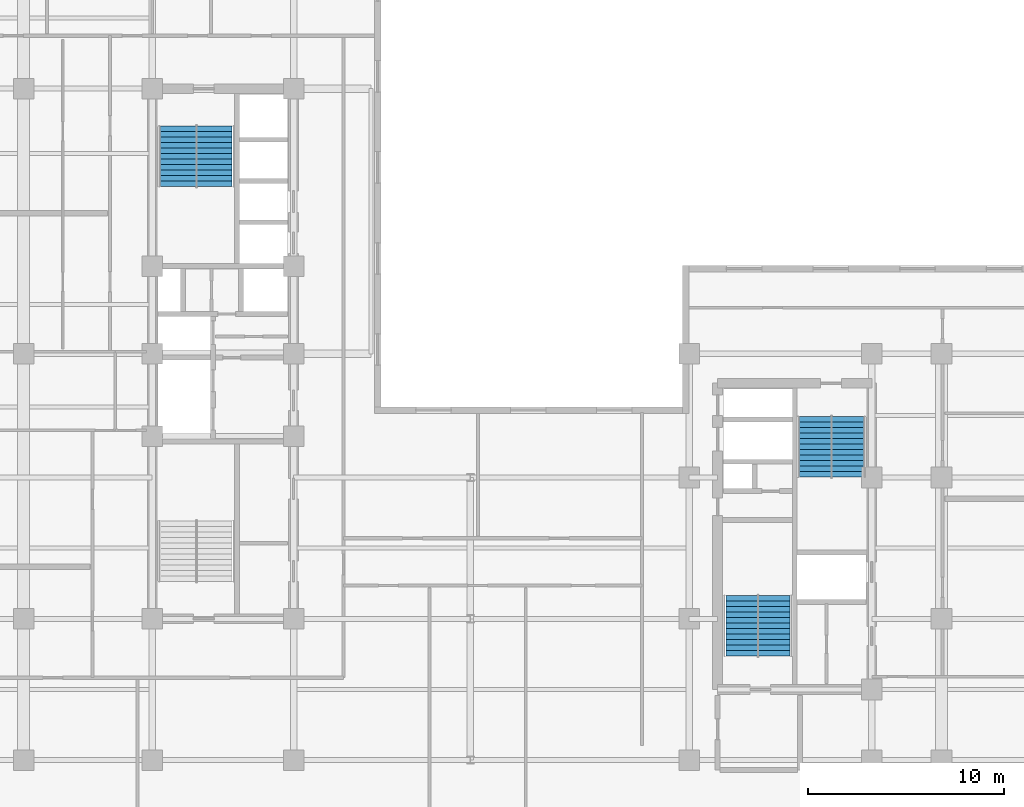
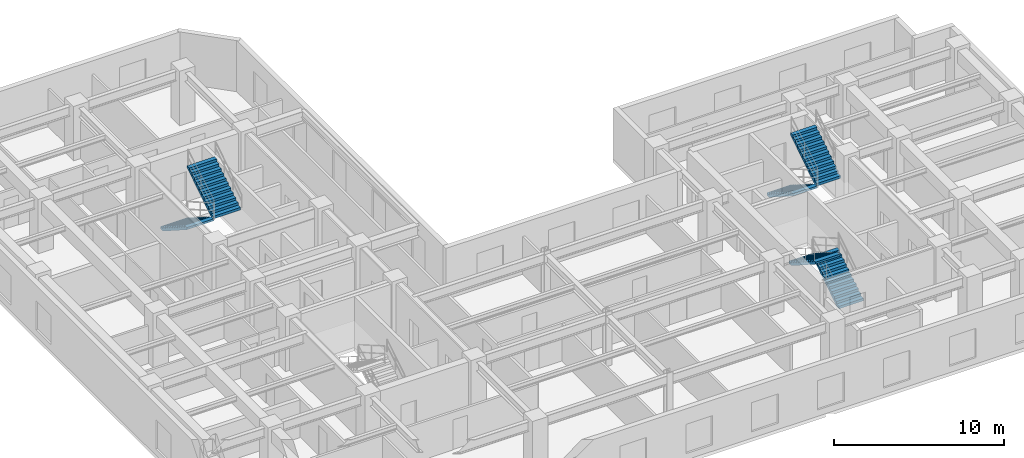
# One storey, part 7 of 10: 6 stair flights, 3 elements without a shape of their own.
"""IFC4 building model written with IfcOpenShell, lengths in metres."""

from ifc_helpers import new_model, entity, si_unit, converted_unit, direction, frame, origin_with_axes, place, context, subcontext, project, spatial, polyline, outline, extrude, material, type_object, element, aggregate, save


model = new_model("IFC4")

# Units and contexts
model_context = context("Model", 3, precision=1e-05, world=origin_with_axes(), true_north=direction((0.0, 1.0)))
body_context = subcontext(model_context, "Body", "Model", "MODEL_VIEW")
ifc_project = project(units=[si_unit("LENGTHUNIT", "METRE"), si_unit("AREAUNIT", "SQUARE_METRE"), si_unit("VOLUMEUNIT", "CUBIC_METRE"), converted_unit("PLANEANGLEUNIT", "DEGREE", entity("IfcPlaneAngleMeasure", 0.017453292519943295), si_unit("PLANEANGLEUNIT", "RADIAN"), dimensions=[0, 0, 0, 0, 0, 0, 0]), si_unit("MASSUNIT", "GRAM", prefix="KILO"), si_unit("THERMODYNAMICTEMPERATUREUNIT", "KELVIN")], contexts=[model_context])

# Site, building, storey
site_placement = place(None, origin_with_axes())
site = spatial("IfcSite", under=ifc_project, at=site_placement, CompositionType="ELEMENT")
building_placement = place(site_placement, origin_with_axes())
building = spatial("IfcBuilding", under=site, at=building_placement, Name="Varnlund Millrace Tower", CompositionType="ELEMENT")
storey_placement = place(building_placement, frame((0.0, 0.0, 156.3), z_axis=(0.0, 0.0, 1.0), x_axis=(1.0, 0.0, 0.0)))
storey = spatial("IfcBuildingStorey", under=building, at=storey_placement, Name="L38", CompositionType="ELEMENT", Elevation=156.3)

# Stair, stair flights
ifc_material_1 = material(Name="Concrete C50/60", Category="concrete")
stair_type_1 = type_object("IfcStairType", Name="Type-Stair-Dogleg-165-390", PredefinedType="HALF_TURN_STAIR", material=ifc_material_1)
stair_1_placement = place(storey_placement, origin_with_axes())
stair_1 = element("IfcStair", 1, at=stair_1_placement, inside=storey, type_object=stair_type_1, Name="Type-Stair-Dogleg-165-390", PredefinedType="HALF_TURN_STAIR")
ifc_material_2 = material(Name="Precast concrete C50/60", Category="concrete")
stair_flight_type_1 = type_object("IfcStairFlightType", Name="Type-Dogleg-Run-165-390", PredefinedType="STRAIGHT", material=ifc_material_2)
stair_flight_1_placement = place(storey_placement, frame((42.225, 8.9, 0.0), z_axis=(1.0, 0.0, 0.0), x_axis=(0.0, 1.0, 0.0)))
stair_flight_1 = element("IfcStairFlight", 2, at=stair_flight_1_placement, type_object=stair_flight_type_1, Name="ST-B1 flight 1", NumberOfRisers=11, NumberOfTreads=11, PredefinedType="STRAIGHT", RiserHeight=0.177273, TreadLength=0.28, context=body_context, shape_type="SweptSolid", body=[
    extrude(outline(polyline([(0.0, 0.0), (0.0, 0.177273), (0.28, 0.177273), (0.28, 0.354545), (0.56, 0.354545), (0.56, 0.531818), (0.84, 0.531818), (0.84, 0.709091), (1.12, 0.709091), (1.12, 0.886364), (1.4, 0.886364), (1.4, 1.063636), (1.68, 1.063636), (1.68, 1.240909), (1.96, 1.240909), (1.96, 1.418182), (2.24, 1.418182), (2.24, 1.595454), (2.52, 1.595454), (2.52, 1.772727), (2.8, 1.772727), (2.8, 1.95), (3.08, 1.95), (3.08, 1.8), (0.28, 0.0), (0.0, 0.0)])), origin_with_axes(), (0.0, 0.0, 1.0), 1.65),
])
stair_flight_2_placement = place(storey_placement, frame((42.275, 11.98, 1.95), z_axis=(-1.0, 0.0, 0.0), x_axis=(0.0, -1.0, 0.0)))
stair_flight_2 = element("IfcStairFlight", 3, at=stair_flight_2_placement, type_object=stair_flight_type_1, Name="ST-B1 flight 2", NumberOfRisers=11, NumberOfTreads=11, PredefinedType="STRAIGHT", RiserHeight=0.177273, TreadLength=0.28, context=body_context, shape_type="SweptSolid", body=[
    extrude(outline(polyline([(0.0, 0.0), (0.0, 0.177273), (0.28, 0.177273), (0.28, 0.354545), (0.56, 0.354545), (0.56, 0.531818), (0.84, 0.531818), (0.84, 0.709091), (1.12, 0.709091), (1.12, 0.886364), (1.4, 0.886364), (1.4, 1.063636), (1.68, 1.063636), (1.68, 1.240909), (1.96, 1.240909), (1.96, 1.418182), (2.24, 1.418182), (2.24, 1.595454), (2.52, 1.595454), (2.52, 1.772727), (2.8, 1.772727), (2.8, 1.95), (3.08, 1.95), (3.08, 1.8), (0.28, 0.0), (0.0, 0.0)])), origin_with_axes(), (0.0, 0.0, 1.0), 1.65),
])
aggregate(stair_1, [stair_flight_1, stair_flight_2])

stair_2_placement = place(storey_placement, origin_with_axes())
stair_2 = element("IfcStair", 4, at=stair_2_placement, inside=storey, type_object=stair_type_1, Name="Type-Stair-Dogleg-165-390", PredefinedType="HALF_TURN_STAIR")
stair_flight_3_placement = place(storey_placement, frame((46.025, 21.1, 0.0), z_axis=(-1.0, 0.0, 0.0), x_axis=(0.0, -1.0, 0.0)))
stair_flight_3 = element("IfcStairFlight", 5, at=stair_flight_3_placement, type_object=stair_flight_type_1, Name="ST-B2 flight 1", NumberOfRisers=11, NumberOfTreads=11, PredefinedType="STRAIGHT", RiserHeight=0.177273, TreadLength=0.28, context=body_context, shape_type="SweptSolid", body=[
    extrude(outline(polyline([(0.0, 0.0), (0.0, 0.177273), (0.28, 0.177273), (0.28, 0.354545), (0.56, 0.354545), (0.56, 0.531818), (0.84, 0.531818), (0.84, 0.709091), (1.12, 0.709091), (1.12, 0.886364), (1.4, 0.886364), (1.4, 1.063636), (1.68, 1.063636), (1.68, 1.240909), (1.96, 1.240909), (1.96, 1.418182), (2.24, 1.418182), (2.24, 1.595454), (2.52, 1.595454), (2.52, 1.772727), (2.8, 1.772727), (2.8, 1.95), (3.08, 1.95), (3.08, 1.8), (0.28, 0.0), (0.0, 0.0)])), origin_with_axes(), (0.0, 0.0, 1.0), 1.65),
])
stair_flight_4_placement = place(storey_placement, frame((45.975, 18.02, 1.95), z_axis=(1.0, 0.0, 0.0), x_axis=(0.0, 1.0, 0.0)))
stair_flight_4 = element("IfcStairFlight", 6, at=stair_flight_4_placement, type_object=stair_flight_type_1, Name="ST-B2 flight 2", NumberOfRisers=11, NumberOfTreads=11, PredefinedType="STRAIGHT", RiserHeight=0.177273, TreadLength=0.28, context=body_context, shape_type="SweptSolid", body=[
    extrude(outline(polyline([(0.0, 0.0), (0.0, 0.177273), (0.28, 0.177273), (0.28, 0.354545), (0.56, 0.354545), (0.56, 0.531818), (0.84, 0.531818), (0.84, 0.709091), (1.12, 0.709091), (1.12, 0.886364), (1.4, 0.886364), (1.4, 1.063636), (1.68, 1.063636), (1.68, 1.240909), (1.96, 1.240909), (1.96, 1.418182), (2.24, 1.418182), (2.24, 1.595454), (2.52, 1.595454), (2.52, 1.772727), (2.8, 1.772727), (2.8, 1.95), (3.08, 1.95), (3.08, 1.8), (0.28, 0.0), (0.0, 0.0)])), origin_with_axes(), (0.0, 0.0, 1.0), 1.65),
])
aggregate(stair_2, [stair_flight_3, stair_flight_4])

stair_type_2 = type_object("IfcStairType", Name="Type-Stair-Dogleg-185-390", PredefinedType="HALF_TURN_STAIR", material=ifc_material_1)
stair_3_placement = place(storey_placement, origin_with_axes())
stair_3 = element("IfcStair", 7, at=stair_3_placement, inside=storey, type_object=stair_type_2, Name="Type-Stair-Dogleg-185-390", PredefinedType="HALF_TURN_STAIR")
stair_flight_type_2 = type_object("IfcStairFlightType", Name="Type-Dogleg-Run-185-390", PredefinedType="STRAIGHT", material=ifc_material_2)
stair_flight_5_placement = place(storey_placement, frame((13.675, 35.9, 0.0), z_axis=(-1.0, 0.0, 0.0), x_axis=(0.0, -1.0, 0.0)))
stair_flight_5 = element("IfcStairFlight", 8, at=stair_flight_5_placement, type_object=stair_flight_type_2, Name="ST-A2 flight 1", NumberOfRisers=11, NumberOfTreads=11, PredefinedType="STRAIGHT", RiserHeight=0.177273, TreadLength=0.28, context=body_context, shape_type="SweptSolid", body=[
    extrude(outline(polyline([(0.0, 0.0), (0.0, 0.177273), (0.28, 0.177273), (0.28, 0.354545), (0.56, 0.354545), (0.56, 0.531818), (0.84, 0.531818), (0.84, 0.709091), (1.12, 0.709091), (1.12, 0.886364), (1.4, 0.886364), (1.4, 1.063636), (1.68, 1.063636), (1.68, 1.240909), (1.96, 1.240909), (1.96, 1.418182), (2.24, 1.418182), (2.24, 1.595454), (2.52, 1.595454), (2.52, 1.772727), (2.8, 1.772727), (2.8, 1.95), (3.08, 1.95), (3.08, 1.8), (0.28, 0.0), (0.0, 0.0)])), origin_with_axes(), (0.0, 0.0, 1.0), 1.85),
])
stair_flight_6_placement = place(storey_placement, frame((13.625, 32.82, 1.95), z_axis=(1.0, 0.0, 0.0), x_axis=(0.0, 1.0, 0.0)))
stair_flight_6 = element("IfcStairFlight", 9, at=stair_flight_6_placement, type_object=stair_flight_type_2, Name="ST-A2 flight 2", NumberOfRisers=11, NumberOfTreads=11, PredefinedType="STRAIGHT", RiserHeight=0.177273, TreadLength=0.28, context=body_context, shape_type="SweptSolid", body=[
    extrude(outline(polyline([(0.0, 0.0), (0.0, 0.177273), (0.28, 0.177273), (0.28, 0.354545), (0.56, 0.354545), (0.56, 0.531818), (0.84, 0.531818), (0.84, 0.709091), (1.12, 0.709091), (1.12, 0.886364), (1.4, 0.886364), (1.4, 1.063636), (1.68, 1.063636), (1.68, 1.240909), (1.96, 1.240909), (1.96, 1.418182), (2.24, 1.418182), (2.24, 1.595454), (2.52, 1.595454), (2.52, 1.772727), (2.8, 1.772727), (2.8, 1.95), (3.08, 1.95), (3.08, 1.8), (0.28, 0.0), (0.0, 0.0)])), origin_with_axes(), (0.0, 0.0, 1.0), 1.85),
])
aggregate(stair_3, [stair_flight_5, stair_flight_6])

save(model, "model.ifc")
